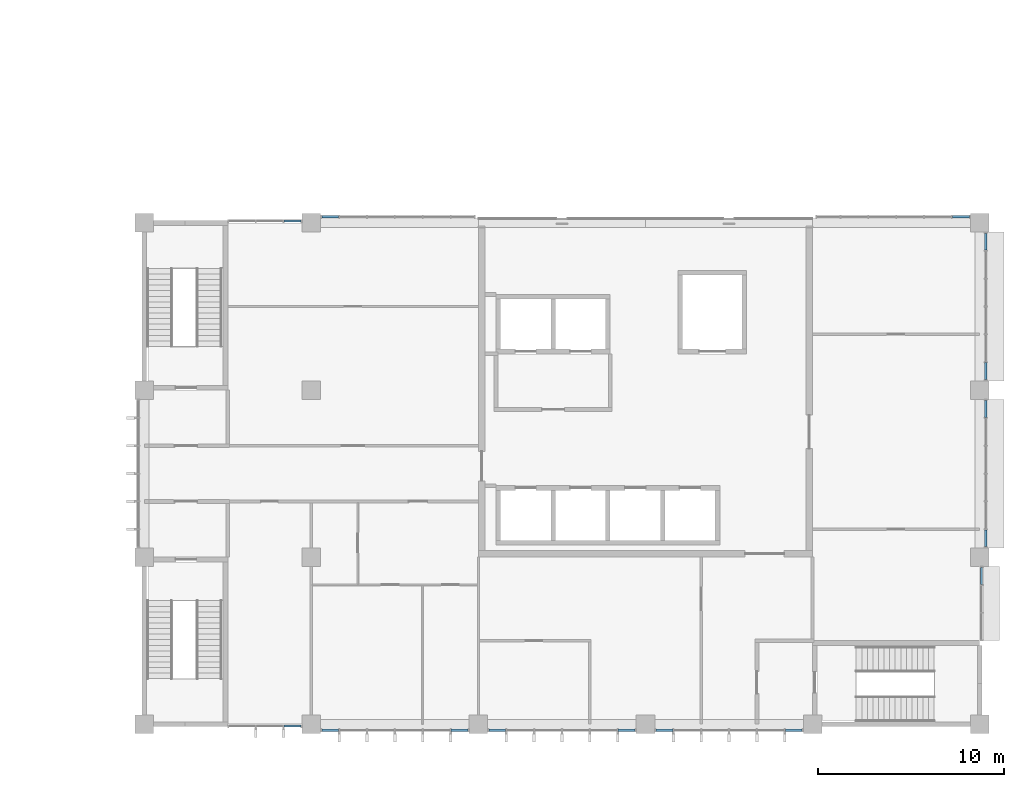
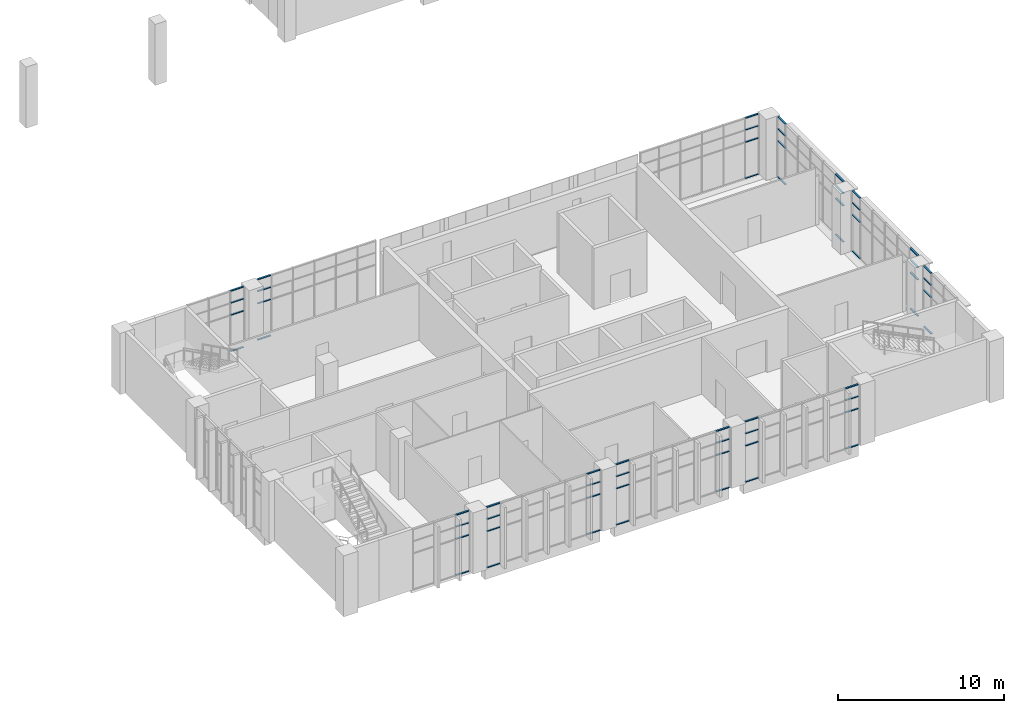
# One storey, part 38 of 88: 60 members, 10 elements without a shape of their own.
"""IFC4 building model written with IfcOpenShell, lengths in metres."""

from ifc_helpers import new_model, si_unit, direction, frame, origin, origin_2d, place, context, subcontext, project, spatial, rectangle, extrude, material, layer, layer_set, material_profile, profile_set, type_object, element, aggregate, save


model = new_model("IFC4")

# Units and contexts
model_context = context("Model", 3, precision=1e-05, world=origin(), true_north=direction((0.0, 1.0)))
body_context = subcontext(model_context, "Body", "Model", "MODEL_VIEW")
ifc_project = project(units=[si_unit("LENGTHUNIT", "METRE"), si_unit("AREAUNIT", "SQUARE_METRE"), si_unit("VOLUMEUNIT", "CUBIC_METRE"), si_unit("PLANEANGLEUNIT", "RADIAN"), si_unit("MASSUNIT", "GRAM", prefix="KILO")], contexts=[model_context])

# Site, building, storey
site_placement = place(None, origin())
site = spatial("IfcSite", under=ifc_project, at=site_placement, CompositionType="ELEMENT")
building_placement = place(site_placement, origin())
building = spatial("IfcBuilding", under=site, at=building_placement, Name="Guidao Yard Department Store", CompositionType="ELEMENT")
storey_placement = place(building_placement, frame((0.0, 0.0, 6.0)))
storey = spatial("IfcBuildingStorey", under=building, at=storey_placement, Name="L01", CompositionType="ELEMENT", Elevation=6.0)

# Curtain wall, members
ifc_material_1 = material(Name="Aluminium and glass", Category="aluminium")
ifc_layer = layer(ifc_material_1, 0.159912109375)
ifc_layer_set = layer_set([ifc_layer], Name="Unitised curtain wall CW4 1500 module")
curtain_wall_type = type_object("IfcCurtainWallType", Name="Unitised curtain wall CW4 1500 module", PredefinedType="NOTDEFINED", material=ifc_layer_set)
curtain_wall_1_placement = place(storey_placement, origin())
curtain_wall_1 = element("IfcCurtainWall", 1, at=curtain_wall_1_placement, inside=storey, type_object=curtain_wall_type, Name="Unitised curtain wall", PredefinedType="NOTDEFINED")
ifc_material_2 = material(Name="Aluminium 6063-T5", Category="aluminium")
ifc_material_profile = material_profile(ifc_material_2, rectangle(XDim=0.1201171875, YDim=0.06005859375, at=origin_2d()), Name="Transom T1 60 x 120 aluminium pressure plate")
ifc_profile_set = profile_set([ifc_material_profile], Name="Aluminium 6063-T5")
member_type = type_object("IfcMemberType", Name="Transom T1 60 x 120 aluminium pressure plate", PredefinedType="USERDEFINED", material=ifc_profile_set)
member_1_placement = place(storey_placement, frame((134.43994140625, -0.10009765625, 0.030029296875), z_axis=(-1.0, 0.0, 0.0), x_axis=(0.0, -1.0, 0.0)))
member_1 = element("IfcMember", 2, at=member_1_placement, type_object=member_type, Name="CW-OW-L01-01 transom 3.1", ObjectType="TRANSOM", PredefinedType="USERDEFINED", context=body_context, shape_type="SweptSolid", body=[
    extrude(rectangle(XDim=0.1201171875, YDim=0.06005859375, at=origin_2d()), origin(), (0.0, 0.0, 1.0), 0.909912109375),
])
member_2_placement = place(storey_placement, frame((134.43994140625, -0.10009765625, 2.699951171875), z_axis=(-1.0, 0.0, 0.0), x_axis=(0.0, -1.0, 0.0)))
member_2 = element("IfcMember", 3, at=member_2_placement, type_object=member_type, Name="CW-OW-L01-01 transom 3.2", ObjectType="TRANSOM", PredefinedType="USERDEFINED", context=body_context, shape_type="SweptSolid", body=[
    extrude(rectangle(XDim=0.1201171875, YDim=0.06005859375, at=origin_2d()), origin(), (0.0, 0.0, 1.0), 0.909912109375),
])
member_3_placement = place(storey_placement, frame((134.43994140625, -0.10009765625, 3.60009765625), z_axis=(-1.0, 0.0, 0.0), x_axis=(0.0, -1.0, 0.0)))
member_3 = element("IfcMember", 4, at=member_3_placement, type_object=member_type, Name="CW-OW-L01-01 transom 3.3", ObjectType="TRANSOM", PredefinedType="USERDEFINED", context=body_context, shape_type="SweptSolid", body=[
    extrude(rectangle(XDim=0.1201171875, YDim=0.06005859375, at=origin_2d()), origin(), (0.0, 0.0, 1.0), 0.909912109375),
])
member_4_placement = place(storey_placement, frame((134.43994140625, -0.10009765625, 4.469970703125), z_axis=(-1.0, 0.0, 0.0), x_axis=(0.0, -1.0, 0.0)))
member_4 = element("IfcMember", 5, at=member_4_placement, type_object=member_type, Name="CW-OW-L01-01 transom 3.4", ObjectType="TRANSOM", PredefinedType="USERDEFINED", context=body_context, shape_type="SweptSolid", body=[
    extrude(rectangle(XDim=0.1201171875, YDim=0.06005859375, at=origin_2d()), origin(), (0.0, 0.0, 1.0), 0.909912109375),
])
aggregate(curtain_wall_1, [member_1, member_2, member_3, member_4])

curtain_wall_2_placement = place(storey_placement, origin())
curtain_wall_2 = element("IfcCurtainWall", 6, at=curtain_wall_2_placement, inside=storey, type_object=curtain_wall_type, Name="Unitised curtain wall", PredefinedType="NOTDEFINED")
member_5_placement = place(storey_placement, frame((136.469970703125, -0.330078125, 0.030029296875), z_axis=(-1.0, 0.0, 0.0), x_axis=(0.0, -1.0, 0.0)))
member_5 = element("IfcMember", 7, at=member_5_placement, type_object=member_type, Name="CW-OW-L01-02 transom 1.1", ObjectType="TRANSOM", PredefinedType="USERDEFINED", context=body_context, shape_type="SweptSolid", body=[
    extrude(rectangle(XDim=0.1201171875, YDim=0.06005859375, at=origin_2d()), origin(), (0.0, 0.0, 1.0), 0.909912109375),
])
member_6_placement = place(storey_placement, frame((136.469970703125, -0.330078125, 2.699951171875), z_axis=(-1.0, 0.0, 0.0), x_axis=(0.0, -1.0, 0.0)))
member_6 = element("IfcMember", 8, at=member_6_placement, type_object=member_type, Name="CW-OW-L01-02 transom 1.2", ObjectType="TRANSOM", PredefinedType="USERDEFINED", context=body_context, shape_type="SweptSolid", body=[
    extrude(rectangle(XDim=0.1201171875, YDim=0.06005859375, at=origin_2d()), origin(), (0.0, 0.0, 1.0), 0.909912109375),
])
member_7_placement = place(storey_placement, frame((136.469970703125, -0.330078125, 3.60009765625), z_axis=(-1.0, 0.0, 0.0), x_axis=(0.0, -1.0, 0.0)))
member_7 = element("IfcMember", 9, at=member_7_placement, type_object=member_type, Name="CW-OW-L01-02 transom 1.3", ObjectType="TRANSOM", PredefinedType="USERDEFINED", context=body_context, shape_type="SweptSolid", body=[
    extrude(rectangle(XDim=0.1201171875, YDim=0.06005859375, at=origin_2d()), origin(), (0.0, 0.0, 1.0), 0.909912109375),
])
member_8_placement = place(storey_placement, frame((136.469970703125, -0.330078125, 4.469970703125), z_axis=(-1.0, 0.0, 0.0), x_axis=(0.0, -1.0, 0.0)))
member_8 = element("IfcMember", 10, at=member_8_placement, type_object=member_type, Name="CW-OW-L01-02 transom 1.4", ObjectType="TRANSOM", PredefinedType="USERDEFINED", context=body_context, shape_type="SweptSolid", body=[
    extrude(rectangle(XDim=0.1201171875, YDim=0.06005859375, at=origin_2d()), origin(), (0.0, 0.0, 1.0), 0.909912109375),
])
member_9_placement = place(storey_placement, frame((143.43994140625, -0.330078125, 0.030029296875), z_axis=(-1.0, 0.0, 0.0), x_axis=(0.0, -1.0, 0.0)))
member_9 = element("IfcMember", 11, at=member_9_placement, type_object=member_type, Name="CW-OW-L01-02 transom 6.1", ObjectType="TRANSOM", PredefinedType="USERDEFINED", context=body_context, shape_type="SweptSolid", body=[
    extrude(rectangle(XDim=0.1201171875, YDim=0.06005859375, at=origin_2d()), origin(), (0.0, 0.0, 1.0), 0.909912109375),
])
member_10_placement = place(storey_placement, frame((143.43994140625, -0.330078125, 2.699951171875), z_axis=(-1.0, 0.0, 0.0), x_axis=(0.0, -1.0, 0.0)))
member_10 = element("IfcMember", 12, at=member_10_placement, type_object=member_type, Name="CW-OW-L01-02 transom 6.2", ObjectType="TRANSOM", PredefinedType="USERDEFINED", context=body_context, shape_type="SweptSolid", body=[
    extrude(rectangle(XDim=0.1201171875, YDim=0.06005859375, at=origin_2d()), origin(), (0.0, 0.0, 1.0), 0.909912109375),
])
member_11_placement = place(storey_placement, frame((143.43994140625, -0.330078125, 3.60009765625), z_axis=(-1.0, 0.0, 0.0), x_axis=(0.0, -1.0, 0.0)))
member_11 = element("IfcMember", 13, at=member_11_placement, type_object=member_type, Name="CW-OW-L01-02 transom 6.3", ObjectType="TRANSOM", PredefinedType="USERDEFINED", context=body_context, shape_type="SweptSolid", body=[
    extrude(rectangle(XDim=0.1201171875, YDim=0.06005859375, at=origin_2d()), origin(), (0.0, 0.0, 1.0), 0.909912109375),
])
member_12_placement = place(storey_placement, frame((143.43994140625, -0.330078125, 4.469970703125), z_axis=(-1.0, 0.0, 0.0), x_axis=(0.0, -1.0, 0.0)))
member_12 = element("IfcMember", 14, at=member_12_placement, type_object=member_type, Name="CW-OW-L01-02 transom 6.4", ObjectType="TRANSOM", PredefinedType="USERDEFINED", context=body_context, shape_type="SweptSolid", body=[
    extrude(rectangle(XDim=0.1201171875, YDim=0.06005859375, at=origin_2d()), origin(), (0.0, 0.0, 1.0), 0.909912109375),
])
aggregate(curtain_wall_2, [member_5, member_6, member_7, member_8, member_9, member_10, member_11, member_12])

curtain_wall_3_placement = place(storey_placement, origin())
curtain_wall_3 = element("IfcCurtainWall", 15, at=curtain_wall_3_placement, inside=storey, type_object=curtain_wall_type, Name="Unitised curtain wall", PredefinedType="NOTDEFINED")
member_13_placement = place(storey_placement, frame((145.469970703125, -0.330078125, 0.030029296875), z_axis=(-1.0, 0.0, 0.0), x_axis=(0.0, -1.0, 0.0)))
member_13 = element("IfcMember", 16, at=member_13_placement, type_object=member_type, Name="CW-OW-L01-03 transom 1.1", ObjectType="TRANSOM", PredefinedType="USERDEFINED", context=body_context, shape_type="SweptSolid", body=[
    extrude(rectangle(XDim=0.1201171875, YDim=0.06005859375, at=origin_2d()), origin(), (0.0, 0.0, 1.0), 0.909912109375),
])
member_14_placement = place(storey_placement, frame((145.469970703125, -0.330078125, 2.699951171875), z_axis=(-1.0, 0.0, 0.0), x_axis=(0.0, -1.0, 0.0)))
member_14 = element("IfcMember", 17, at=member_14_placement, type_object=member_type, Name="CW-OW-L01-03 transom 1.2", ObjectType="TRANSOM", PredefinedType="USERDEFINED", context=body_context, shape_type="SweptSolid", body=[
    extrude(rectangle(XDim=0.1201171875, YDim=0.06005859375, at=origin_2d()), origin(), (0.0, 0.0, 1.0), 0.909912109375),
])
member_15_placement = place(storey_placement, frame((145.469970703125, -0.330078125, 3.60009765625), z_axis=(-1.0, 0.0, 0.0), x_axis=(0.0, -1.0, 0.0)))
member_15 = element("IfcMember", 18, at=member_15_placement, type_object=member_type, Name="CW-OW-L01-03 transom 1.3", ObjectType="TRANSOM", PredefinedType="USERDEFINED", context=body_context, shape_type="SweptSolid", body=[
    extrude(rectangle(XDim=0.1201171875, YDim=0.06005859375, at=origin_2d()), origin(), (0.0, 0.0, 1.0), 0.909912109375),
])
member_16_placement = place(storey_placement, frame((145.469970703125, -0.330078125, 4.469970703125), z_axis=(-1.0, 0.0, 0.0), x_axis=(0.0, -1.0, 0.0)))
member_16 = element("IfcMember", 19, at=member_16_placement, type_object=member_type, Name="CW-OW-L01-03 transom 1.4", ObjectType="TRANSOM", PredefinedType="USERDEFINED", context=body_context, shape_type="SweptSolid", body=[
    extrude(rectangle(XDim=0.1201171875, YDim=0.06005859375, at=origin_2d()), origin(), (0.0, 0.0, 1.0), 0.909912109375),
])
member_17_placement = place(storey_placement, frame((152.43994140625, -0.330078125, 0.030029296875), z_axis=(-1.0, 0.0, 0.0), x_axis=(0.0, -1.0, 0.0)))
member_17 = element("IfcMember", 20, at=member_17_placement, type_object=member_type, Name="CW-OW-L01-03 transom 6.1", ObjectType="TRANSOM", PredefinedType="USERDEFINED", context=body_context, shape_type="SweptSolid", body=[
    extrude(rectangle(XDim=0.1201171875, YDim=0.06005859375, at=origin_2d()), origin(), (0.0, 0.0, 1.0), 0.909912109375),
])
member_18_placement = place(storey_placement, frame((152.43994140625, -0.330078125, 2.699951171875), z_axis=(-1.0, 0.0, 0.0), x_axis=(0.0, -1.0, 0.0)))
member_18 = element("IfcMember", 21, at=member_18_placement, type_object=member_type, Name="CW-OW-L01-03 transom 6.2", ObjectType="TRANSOM", PredefinedType="USERDEFINED", context=body_context, shape_type="SweptSolid", body=[
    extrude(rectangle(XDim=0.1201171875, YDim=0.06005859375, at=origin_2d()), origin(), (0.0, 0.0, 1.0), 0.909912109375),
])
member_19_placement = place(storey_placement, frame((152.43994140625, -0.330078125, 3.60009765625), z_axis=(-1.0, 0.0, 0.0), x_axis=(0.0, -1.0, 0.0)))
member_19 = element("IfcMember", 22, at=member_19_placement, type_object=member_type, Name="CW-OW-L01-03 transom 6.3", ObjectType="TRANSOM", PredefinedType="USERDEFINED", context=body_context, shape_type="SweptSolid", body=[
    extrude(rectangle(XDim=0.1201171875, YDim=0.06005859375, at=origin_2d()), origin(), (0.0, 0.0, 1.0), 0.909912109375),
])
member_20_placement = place(storey_placement, frame((152.43994140625, -0.330078125, 4.469970703125), z_axis=(-1.0, 0.0, 0.0), x_axis=(0.0, -1.0, 0.0)))
member_20 = element("IfcMember", 23, at=member_20_placement, type_object=member_type, Name="CW-OW-L01-03 transom 6.4", ObjectType="TRANSOM", PredefinedType="USERDEFINED", context=body_context, shape_type="SweptSolid", body=[
    extrude(rectangle(XDim=0.1201171875, YDim=0.06005859375, at=origin_2d()), origin(), (0.0, 0.0, 1.0), 0.909912109375),
])
aggregate(curtain_wall_3, [member_13, member_14, member_15, member_16, member_17, member_18, member_19, member_20])

curtain_wall_4_placement = place(storey_placement, origin())
curtain_wall_4 = element("IfcCurtainWall", 24, at=curtain_wall_4_placement, inside=storey, type_object=curtain_wall_type, Name="Unitised curtain wall", PredefinedType="NOTDEFINED")
member_21_placement = place(storey_placement, frame((154.469970703125, -0.330078125, 0.030029296875), z_axis=(-1.0, 0.0, 0.0), x_axis=(0.0, -1.0, 0.0)))
member_21 = element("IfcMember", 25, at=member_21_placement, type_object=member_type, Name="CW-OW-L01-04 transom 1.1", ObjectType="TRANSOM", PredefinedType="USERDEFINED", context=body_context, shape_type="SweptSolid", body=[
    extrude(rectangle(XDim=0.1201171875, YDim=0.06005859375, at=origin_2d()), origin(), (0.0, 0.0, 1.0), 0.909912109375),
])
member_22_placement = place(storey_placement, frame((154.469970703125, -0.330078125, 2.699951171875), z_axis=(-1.0, 0.0, 0.0), x_axis=(0.0, -1.0, 0.0)))
member_22 = element("IfcMember", 26, at=member_22_placement, type_object=member_type, Name="CW-OW-L01-04 transom 1.2", ObjectType="TRANSOM", PredefinedType="USERDEFINED", context=body_context, shape_type="SweptSolid", body=[
    extrude(rectangle(XDim=0.1201171875, YDim=0.06005859375, at=origin_2d()), origin(), (0.0, 0.0, 1.0), 0.909912109375),
])
member_23_placement = place(storey_placement, frame((154.469970703125, -0.330078125, 3.60009765625), z_axis=(-1.0, 0.0, 0.0), x_axis=(0.0, -1.0, 0.0)))
member_23 = element("IfcMember", 27, at=member_23_placement, type_object=member_type, Name="CW-OW-L01-04 transom 1.3", ObjectType="TRANSOM", PredefinedType="USERDEFINED", context=body_context, shape_type="SweptSolid", body=[
    extrude(rectangle(XDim=0.1201171875, YDim=0.06005859375, at=origin_2d()), origin(), (0.0, 0.0, 1.0), 0.909912109375),
])
member_24_placement = place(storey_placement, frame((154.469970703125, -0.330078125, 4.469970703125), z_axis=(-1.0, 0.0, 0.0), x_axis=(0.0, -1.0, 0.0)))
member_24 = element("IfcMember", 28, at=member_24_placement, type_object=member_type, Name="CW-OW-L01-04 transom 1.4", ObjectType="TRANSOM", PredefinedType="USERDEFINED", context=body_context, shape_type="SweptSolid", body=[
    extrude(rectangle(XDim=0.1201171875, YDim=0.06005859375, at=origin_2d()), origin(), (0.0, 0.0, 1.0), 0.909912109375),
])
member_25_placement = place(storey_placement, frame((161.43994140625, -0.330078125, 0.030029296875), z_axis=(-1.0, 0.0, 0.0), x_axis=(0.0, -1.0, 0.0)))
member_25 = element("IfcMember", 29, at=member_25_placement, type_object=member_type, Name="CW-OW-L01-04 transom 6.1", ObjectType="TRANSOM", PredefinedType="USERDEFINED", context=body_context, shape_type="SweptSolid", body=[
    extrude(rectangle(XDim=0.1201171875, YDim=0.06005859375, at=origin_2d()), origin(), (0.0, 0.0, 1.0), 0.909912109375),
])
member_26_placement = place(storey_placement, frame((161.43994140625, -0.330078125, 2.699951171875), z_axis=(-1.0, 0.0, 0.0), x_axis=(0.0, -1.0, 0.0)))
member_26 = element("IfcMember", 30, at=member_26_placement, type_object=member_type, Name="CW-OW-L01-04 transom 6.2", ObjectType="TRANSOM", PredefinedType="USERDEFINED", context=body_context, shape_type="SweptSolid", body=[
    extrude(rectangle(XDim=0.1201171875, YDim=0.06005859375, at=origin_2d()), origin(), (0.0, 0.0, 1.0), 0.909912109375),
])
member_27_placement = place(storey_placement, frame((161.43994140625, -0.330078125, 3.60009765625), z_axis=(-1.0, 0.0, 0.0), x_axis=(0.0, -1.0, 0.0)))
member_27 = element("IfcMember", 31, at=member_27_placement, type_object=member_type, Name="CW-OW-L01-04 transom 6.3", ObjectType="TRANSOM", PredefinedType="USERDEFINED", context=body_context, shape_type="SweptSolid", body=[
    extrude(rectangle(XDim=0.1201171875, YDim=0.06005859375, at=origin_2d()), origin(), (0.0, 0.0, 1.0), 0.909912109375),
])
member_28_placement = place(storey_placement, frame((161.43994140625, -0.330078125, 4.469970703125), z_axis=(-1.0, 0.0, 0.0), x_axis=(0.0, -1.0, 0.0)))
member_28 = element("IfcMember", 32, at=member_28_placement, type_object=member_type, Name="CW-OW-L01-04 transom 6.4", ObjectType="TRANSOM", PredefinedType="USERDEFINED", context=body_context, shape_type="SweptSolid", body=[
    extrude(rectangle(XDim=0.1201171875, YDim=0.06005859375, at=origin_2d()), origin(), (0.0, 0.0, 1.0), 0.909912109375),
])
aggregate(curtain_wall_4, [member_21, member_22, member_23, member_24, member_25, member_26, member_27, member_28])

curtain_wall_5_placement = place(storey_placement, origin())
curtain_wall_5 = element("IfcCurtainWall", 33, at=curtain_wall_5_placement, inside=storey, type_object=curtain_wall_type, Name="Unitised curtain wall", PredefinedType="NOTDEFINED")
member_29_placement = place(storey_placement, frame((133.530029296875, 27.10009765625, 0.030029296875), z_axis=(1.0, 0.0, 0.0), x_axis=(0.0, 1.0, 0.0)))
member_29 = element("IfcMember", 34, at=member_29_placement, type_object=member_type, Name="CW-OW-L01-06 transom 3.1", ObjectType="TRANSOM", PredefinedType="USERDEFINED", context=body_context, shape_type="SweptSolid", body=[
    extrude(rectangle(XDim=0.1201171875, YDim=0.06005859375, at=origin_2d()), origin(), (0.0, 0.0, 1.0), 0.909912109375),
])
member_30_placement = place(storey_placement, frame((133.530029296875, 27.10009765625, 2.699951171875), z_axis=(1.0, 0.0, 0.0), x_axis=(0.0, 1.0, 0.0)))
member_30 = element("IfcMember", 35, at=member_30_placement, type_object=member_type, Name="CW-OW-L01-06 transom 3.2", ObjectType="TRANSOM", PredefinedType="USERDEFINED", context=body_context, shape_type="SweptSolid", body=[
    extrude(rectangle(XDim=0.1201171875, YDim=0.06005859375, at=origin_2d()), origin(), (0.0, 0.0, 1.0), 0.909912109375),
])
member_31_placement = place(storey_placement, frame((133.530029296875, 27.10009765625, 3.60009765625), z_axis=(1.0, 0.0, 0.0), x_axis=(0.0, 1.0, 0.0)))
member_31 = element("IfcMember", 36, at=member_31_placement, type_object=member_type, Name="CW-OW-L01-06 transom 3.3", ObjectType="TRANSOM", PredefinedType="USERDEFINED", context=body_context, shape_type="SweptSolid", body=[
    extrude(rectangle(XDim=0.1201171875, YDim=0.06005859375, at=origin_2d()), origin(), (0.0, 0.0, 1.0), 0.909912109375),
])
member_32_placement = place(storey_placement, frame((133.530029296875, 27.10009765625, 4.469970703125), z_axis=(1.0, 0.0, 0.0), x_axis=(0.0, 1.0, 0.0)))
member_32 = element("IfcMember", 37, at=member_32_placement, type_object=member_type, Name="CW-OW-L01-06 transom 3.4", ObjectType="TRANSOM", PredefinedType="USERDEFINED", context=body_context, shape_type="SweptSolid", body=[
    extrude(rectangle(XDim=0.1201171875, YDim=0.06005859375, at=origin_2d()), origin(), (0.0, 0.0, 1.0), 0.909912109375),
])
aggregate(curtain_wall_5, [member_29, member_30, member_31, member_32])

curtain_wall_6_placement = place(storey_placement, origin())
curtain_wall_6 = element("IfcCurtainWall", 38, at=curtain_wall_6_placement, inside=storey, type_object=curtain_wall_type, Name="Unitised curtain wall", PredefinedType="NOTDEFINED")
member_33_placement = place(storey_placement, frame((135.56005859375, 27.330078125, 0.030029296875), z_axis=(1.0, 0.0, 0.0), x_axis=(0.0, 1.0, 0.0)))
member_33 = element("IfcMember", 39, at=member_33_placement, type_object=member_type, Name="CW-OW-L01-07 transom 1.1", ObjectType="TRANSOM", PredefinedType="USERDEFINED", context=body_context, shape_type="SweptSolid", body=[
    extrude(rectangle(XDim=0.1201171875, YDim=0.06005859375, at=origin_2d()), origin(), (0.0, 0.0, 1.0), 0.909912109375),
])
member_34_placement = place(storey_placement, frame((135.56005859375, 27.330078125, 2.699951171875), z_axis=(1.0, 0.0, 0.0), x_axis=(0.0, 1.0, 0.0)))
member_34 = element("IfcMember", 40, at=member_34_placement, type_object=member_type, Name="CW-OW-L01-07 transom 1.2", ObjectType="TRANSOM", PredefinedType="USERDEFINED", context=body_context, shape_type="SweptSolid", body=[
    extrude(rectangle(XDim=0.1201171875, YDim=0.06005859375, at=origin_2d()), origin(), (0.0, 0.0, 1.0), 0.909912109375),
])
member_35_placement = place(storey_placement, frame((135.56005859375, 27.330078125, 3.60009765625), z_axis=(1.0, 0.0, 0.0), x_axis=(0.0, 1.0, 0.0)))
member_35 = element("IfcMember", 41, at=member_35_placement, type_object=member_type, Name="CW-OW-L01-07 transom 1.3", ObjectType="TRANSOM", PredefinedType="USERDEFINED", context=body_context, shape_type="SweptSolid", body=[
    extrude(rectangle(XDim=0.1201171875, YDim=0.06005859375, at=origin_2d()), origin(), (0.0, 0.0, 1.0), 0.909912109375),
])
member_36_placement = place(storey_placement, frame((135.56005859375, 27.330078125, 4.469970703125), z_axis=(1.0, 0.0, 0.0), x_axis=(0.0, 1.0, 0.0)))
member_36 = element("IfcMember", 42, at=member_36_placement, type_object=member_type, Name="CW-OW-L01-07 transom 1.4", ObjectType="TRANSOM", PredefinedType="USERDEFINED", context=body_context, shape_type="SweptSolid", body=[
    extrude(rectangle(XDim=0.1201171875, YDim=0.06005859375, at=origin_2d()), origin(), (0.0, 0.0, 1.0), 0.909912109375),
])
aggregate(curtain_wall_6, [member_33, member_34, member_35, member_36])

curtain_wall_7_placement = place(storey_placement, origin())
curtain_wall_7 = element("IfcCurtainWall", 43, at=curtain_wall_7_placement, inside=storey, type_object=curtain_wall_type, Name="Unitised curtain wall", PredefinedType="NOTDEFINED")
member_37_placement = place(storey_placement, frame((169.530029296875, 27.330078125, 0.030029296875), z_axis=(1.0, 0.0, 0.0), x_axis=(0.0, 1.0, 0.0)))
member_37 = element("IfcMember", 44, at=member_37_placement, type_object=member_type, Name="CW-OW-L01-08 transom 6.1", ObjectType="TRANSOM", PredefinedType="USERDEFINED", context=body_context, shape_type="SweptSolid", body=[
    extrude(rectangle(XDim=0.1201171875, YDim=0.06005859375, at=origin_2d()), origin(), (0.0, 0.0, 1.0), 0.909912109375),
])
member_38_placement = place(storey_placement, frame((169.530029296875, 27.330078125, 2.699951171875), z_axis=(1.0, 0.0, 0.0), x_axis=(0.0, 1.0, 0.0)))
member_38 = element("IfcMember", 45, at=member_38_placement, type_object=member_type, Name="CW-OW-L01-08 transom 6.2", ObjectType="TRANSOM", PredefinedType="USERDEFINED", context=body_context, shape_type="SweptSolid", body=[
    extrude(rectangle(XDim=0.1201171875, YDim=0.06005859375, at=origin_2d()), origin(), (0.0, 0.0, 1.0), 0.909912109375),
])
member_39_placement = place(storey_placement, frame((169.530029296875, 27.330078125, 3.60009765625), z_axis=(1.0, 0.0, 0.0), x_axis=(0.0, 1.0, 0.0)))
member_39 = element("IfcMember", 46, at=member_39_placement, type_object=member_type, Name="CW-OW-L01-08 transom 6.3", ObjectType="TRANSOM", PredefinedType="USERDEFINED", context=body_context, shape_type="SweptSolid", body=[
    extrude(rectangle(XDim=0.1201171875, YDim=0.06005859375, at=origin_2d()), origin(), (0.0, 0.0, 1.0), 0.909912109375),
])
member_40_placement = place(storey_placement, frame((169.530029296875, 27.330078125, 4.469970703125), z_axis=(1.0, 0.0, 0.0), x_axis=(0.0, 1.0, 0.0)))
member_40 = element("IfcMember", 47, at=member_40_placement, type_object=member_type, Name="CW-OW-L01-08 transom 6.4", ObjectType="TRANSOM", PredefinedType="USERDEFINED", context=body_context, shape_type="SweptSolid", body=[
    extrude(rectangle(XDim=0.1201171875, YDim=0.06005859375, at=origin_2d()), origin(), (0.0, 0.0, 1.0), 0.909912109375),
])
aggregate(curtain_wall_7, [member_37, member_38, member_39, member_40])

curtain_wall_8_placement = place(storey_placement, origin())
curtain_wall_8 = element("IfcCurtainWall", 48, at=curtain_wall_8_placement, inside=storey, type_object=curtain_wall_type, Name="Unitised curtain wall", PredefinedType="NOTDEFINED")
member_41_placement = place(storey_placement, frame((171.10009765625, 8.43994140625, 0.030029296875), z_axis=(0.0, -1.0, 0.0), x_axis=(1.0, 0.0, 0.0)))
member_41 = element("IfcMember", 49, at=member_41_placement, type_object=member_type, Name="CW-OW-L01-09 transom 3.1", ObjectType="TRANSOM", PredefinedType="USERDEFINED", context=body_context, shape_type="SweptSolid", body=[
    extrude(rectangle(XDim=0.1201171875, YDim=0.06005859375, at=origin_2d()), origin(), (0.0, 0.0, 1.0), 0.909912109375),
])
member_42_placement = place(storey_placement, frame((171.10009765625, 8.43994140625, 2.699951171875), z_axis=(0.0, -1.0, 0.0), x_axis=(1.0, 0.0, 0.0)))
member_42 = element("IfcMember", 50, at=member_42_placement, type_object=member_type, Name="CW-OW-L01-09 transom 3.2", ObjectType="TRANSOM", PredefinedType="USERDEFINED", context=body_context, shape_type="SweptSolid", body=[
    extrude(rectangle(XDim=0.1201171875, YDim=0.06005859375, at=origin_2d()), origin(), (0.0, 0.0, 1.0), 0.909912109375),
])
member_43_placement = place(storey_placement, frame((171.10009765625, 8.43994140625, 3.60009765625), z_axis=(0.0, -1.0, 0.0), x_axis=(1.0, 0.0, 0.0)))
member_43 = element("IfcMember", 51, at=member_43_placement, type_object=member_type, Name="CW-OW-L01-09 transom 3.3", ObjectType="TRANSOM", PredefinedType="USERDEFINED", context=body_context, shape_type="SweptSolid", body=[
    extrude(rectangle(XDim=0.1201171875, YDim=0.06005859375, at=origin_2d()), origin(), (0.0, 0.0, 1.0), 0.909912109375),
])
member_44_placement = place(storey_placement, frame((171.10009765625, 8.43994140625, 4.469970703125), z_axis=(0.0, -1.0, 0.0), x_axis=(1.0, 0.0, 0.0)))
member_44 = element("IfcMember", 52, at=member_44_placement, type_object=member_type, Name="CW-OW-L01-09 transom 3.4", ObjectType="TRANSOM", PredefinedType="USERDEFINED", context=body_context, shape_type="SweptSolid", body=[
    extrude(rectangle(XDim=0.1201171875, YDim=0.06005859375, at=origin_2d()), origin(), (0.0, 0.0, 1.0), 0.909912109375),
])
aggregate(curtain_wall_8, [member_41, member_42, member_43, member_44])

curtain_wall_9_placement = place(storey_placement, origin())
curtain_wall_9 = element("IfcCurtainWall", 53, at=curtain_wall_9_placement, inside=storey, type_object=curtain_wall_type, Name="Unitised curtain wall", PredefinedType="NOTDEFINED")
member_45_placement = place(storey_placement, frame((171.330078125, 10.469970703125, 0.030029296875), z_axis=(0.0, -1.0, 0.0), x_axis=(1.0, 0.0, 0.0)))
member_45 = element("IfcMember", 54, at=member_45_placement, type_object=member_type, Name="CW-OW-L01-10 transom 1.1", ObjectType="TRANSOM", PredefinedType="USERDEFINED", context=body_context, shape_type="SweptSolid", body=[
    extrude(rectangle(XDim=0.1201171875, YDim=0.06005859375, at=origin_2d()), origin(), (0.0, 0.0, 1.0), 0.909912109375),
])
member_46_placement = place(storey_placement, frame((171.330078125, 10.469970703125, 2.699951171875), z_axis=(0.0, -1.0, 0.0), x_axis=(1.0, 0.0, 0.0)))
member_46 = element("IfcMember", 55, at=member_46_placement, type_object=member_type, Name="CW-OW-L01-10 transom 1.2", ObjectType="TRANSOM", PredefinedType="USERDEFINED", context=body_context, shape_type="SweptSolid", body=[
    extrude(rectangle(XDim=0.1201171875, YDim=0.06005859375, at=origin_2d()), origin(), (0.0, 0.0, 1.0), 0.909912109375),
])
member_47_placement = place(storey_placement, frame((171.330078125, 10.469970703125, 3.60009765625), z_axis=(0.0, -1.0, 0.0), x_axis=(1.0, 0.0, 0.0)))
member_47 = element("IfcMember", 56, at=member_47_placement, type_object=member_type, Name="CW-OW-L01-10 transom 1.3", ObjectType="TRANSOM", PredefinedType="USERDEFINED", context=body_context, shape_type="SweptSolid", body=[
    extrude(rectangle(XDim=0.1201171875, YDim=0.06005859375, at=origin_2d()), origin(), (0.0, 0.0, 1.0), 0.909912109375),
])
member_48_placement = place(storey_placement, frame((171.330078125, 10.469970703125, 4.469970703125), z_axis=(0.0, -1.0, 0.0), x_axis=(1.0, 0.0, 0.0)))
member_48 = element("IfcMember", 57, at=member_48_placement, type_object=member_type, Name="CW-OW-L01-10 transom 1.4", ObjectType="TRANSOM", PredefinedType="USERDEFINED", context=body_context, shape_type="SweptSolid", body=[
    extrude(rectangle(XDim=0.1201171875, YDim=0.06005859375, at=origin_2d()), origin(), (0.0, 0.0, 1.0), 0.909912109375),
])
member_49_placement = place(storey_placement, frame((171.330078125, 17.43994140625, 0.030029296875), z_axis=(0.0, -1.0, 0.0), x_axis=(1.0, 0.0, 0.0)))
member_49 = element("IfcMember", 58, at=member_49_placement, type_object=member_type, Name="CW-OW-L01-10 transom 6.1", ObjectType="TRANSOM", PredefinedType="USERDEFINED", context=body_context, shape_type="SweptSolid", body=[
    extrude(rectangle(XDim=0.1201171875, YDim=0.06005859375, at=origin_2d()), origin(), (0.0, 0.0, 1.0), 0.909912109375),
])
member_50_placement = place(storey_placement, frame((171.330078125, 17.43994140625, 2.699951171875), z_axis=(0.0, -1.0, 0.0), x_axis=(1.0, 0.0, 0.0)))
member_50 = element("IfcMember", 59, at=member_50_placement, type_object=member_type, Name="CW-OW-L01-10 transom 6.2", ObjectType="TRANSOM", PredefinedType="USERDEFINED", context=body_context, shape_type="SweptSolid", body=[
    extrude(rectangle(XDim=0.1201171875, YDim=0.06005859375, at=origin_2d()), origin(), (0.0, 0.0, 1.0), 0.909912109375),
])
member_51_placement = place(storey_placement, frame((171.330078125, 17.43994140625, 3.60009765625), z_axis=(0.0, -1.0, 0.0), x_axis=(1.0, 0.0, 0.0)))
member_51 = element("IfcMember", 60, at=member_51_placement, type_object=member_type, Name="CW-OW-L01-10 transom 6.3", ObjectType="TRANSOM", PredefinedType="USERDEFINED", context=body_context, shape_type="SweptSolid", body=[
    extrude(rectangle(XDim=0.1201171875, YDim=0.06005859375, at=origin_2d()), origin(), (0.0, 0.0, 1.0), 0.909912109375),
])
member_52_placement = place(storey_placement, frame((171.330078125, 17.43994140625, 4.469970703125), z_axis=(0.0, -1.0, 0.0), x_axis=(1.0, 0.0, 0.0)))
member_52 = element("IfcMember", 61, at=member_52_placement, type_object=member_type, Name="CW-OW-L01-10 transom 6.4", ObjectType="TRANSOM", PredefinedType="USERDEFINED", context=body_context, shape_type="SweptSolid", body=[
    extrude(rectangle(XDim=0.1201171875, YDim=0.06005859375, at=origin_2d()), origin(), (0.0, 0.0, 1.0), 0.909912109375),
])
aggregate(curtain_wall_9, [member_45, member_46, member_47, member_48, member_49, member_50, member_51, member_52])

curtain_wall_10_placement = place(storey_placement, origin())
curtain_wall_10 = element("IfcCurtainWall", 62, at=curtain_wall_10_placement, inside=storey, type_object=curtain_wall_type, Name="Unitised curtain wall", PredefinedType="NOTDEFINED")
member_53_placement = place(storey_placement, frame((171.330078125, 19.469970703125, 0.030029296875), z_axis=(0.0, -1.0, 0.0), x_axis=(1.0, 0.0, 0.0)))
member_53 = element("IfcMember", 63, at=member_53_placement, type_object=member_type, Name="CW-OW-L01-11 transom 1.1", ObjectType="TRANSOM", PredefinedType="USERDEFINED", context=body_context, shape_type="SweptSolid", body=[
    extrude(rectangle(XDim=0.1201171875, YDim=0.06005859375, at=origin_2d()), origin(), (0.0, 0.0, 1.0), 0.909912109375),
])
member_54_placement = place(storey_placement, frame((171.330078125, 19.469970703125, 2.699951171875), z_axis=(0.0, -1.0, 0.0), x_axis=(1.0, 0.0, 0.0)))
member_54 = element("IfcMember", 64, at=member_54_placement, type_object=member_type, Name="CW-OW-L01-11 transom 1.2", ObjectType="TRANSOM", PredefinedType="USERDEFINED", context=body_context, shape_type="SweptSolid", body=[
    extrude(rectangle(XDim=0.1201171875, YDim=0.06005859375, at=origin_2d()), origin(), (0.0, 0.0, 1.0), 0.909912109375),
])
member_55_placement = place(storey_placement, frame((171.330078125, 19.469970703125, 3.60009765625), z_axis=(0.0, -1.0, 0.0), x_axis=(1.0, 0.0, 0.0)))
member_55 = element("IfcMember", 65, at=member_55_placement, type_object=member_type, Name="CW-OW-L01-11 transom 1.3", ObjectType="TRANSOM", PredefinedType="USERDEFINED", context=body_context, shape_type="SweptSolid", body=[
    extrude(rectangle(XDim=0.1201171875, YDim=0.06005859375, at=origin_2d()), origin(), (0.0, 0.0, 1.0), 0.909912109375),
])
member_56_placement = place(storey_placement, frame((171.330078125, 19.469970703125, 4.469970703125), z_axis=(0.0, -1.0, 0.0), x_axis=(1.0, 0.0, 0.0)))
member_56 = element("IfcMember", 66, at=member_56_placement, type_object=member_type, Name="CW-OW-L01-11 transom 1.4", ObjectType="TRANSOM", PredefinedType="USERDEFINED", context=body_context, shape_type="SweptSolid", body=[
    extrude(rectangle(XDim=0.1201171875, YDim=0.06005859375, at=origin_2d()), origin(), (0.0, 0.0, 1.0), 0.909912109375),
])
member_57_placement = place(storey_placement, frame((171.330078125, 26.43994140625, 0.030029296875), z_axis=(0.0, -1.0, 0.0), x_axis=(1.0, 0.0, 0.0)))
member_57 = element("IfcMember", 67, at=member_57_placement, type_object=member_type, Name="CW-OW-L01-11 transom 6.1", ObjectType="TRANSOM", PredefinedType="USERDEFINED", context=body_context, shape_type="SweptSolid", body=[
    extrude(rectangle(XDim=0.1201171875, YDim=0.06005859375, at=origin_2d()), origin(), (0.0, 0.0, 1.0), 0.909912109375),
])
member_58_placement = place(storey_placement, frame((171.330078125, 26.43994140625, 2.699951171875), z_axis=(0.0, -1.0, 0.0), x_axis=(1.0, 0.0, 0.0)))
member_58 = element("IfcMember", 68, at=member_58_placement, type_object=member_type, Name="CW-OW-L01-11 transom 6.2", ObjectType="TRANSOM", PredefinedType="USERDEFINED", context=body_context, shape_type="SweptSolid", body=[
    extrude(rectangle(XDim=0.1201171875, YDim=0.06005859375, at=origin_2d()), origin(), (0.0, 0.0, 1.0), 0.909912109375),
])
member_59_placement = place(storey_placement, frame((171.330078125, 26.43994140625, 3.60009765625), z_axis=(0.0, -1.0, 0.0), x_axis=(1.0, 0.0, 0.0)))
member_59 = element("IfcMember", 69, at=member_59_placement, type_object=member_type, Name="CW-OW-L01-11 transom 6.3", ObjectType="TRANSOM", PredefinedType="USERDEFINED", context=body_context, shape_type="SweptSolid", body=[
    extrude(rectangle(XDim=0.1201171875, YDim=0.06005859375, at=origin_2d()), origin(), (0.0, 0.0, 1.0), 0.909912109375),
])
member_60_placement = place(storey_placement, frame((171.330078125, 26.43994140625, 4.469970703125), z_axis=(0.0, -1.0, 0.0), x_axis=(1.0, 0.0, 0.0)))
member_60 = element("IfcMember", 70, at=member_60_placement, type_object=member_type, Name="CW-OW-L01-11 transom 6.4", ObjectType="TRANSOM", PredefinedType="USERDEFINED", context=body_context, shape_type="SweptSolid", body=[
    extrude(rectangle(XDim=0.1201171875, YDim=0.06005859375, at=origin_2d()), origin(), (0.0, 0.0, 1.0), 0.909912109375),
])
aggregate(curtain_wall_10, [member_53, member_54, member_55, member_56, member_57, member_58, member_59, member_60])

save(model, "model.ifc")
